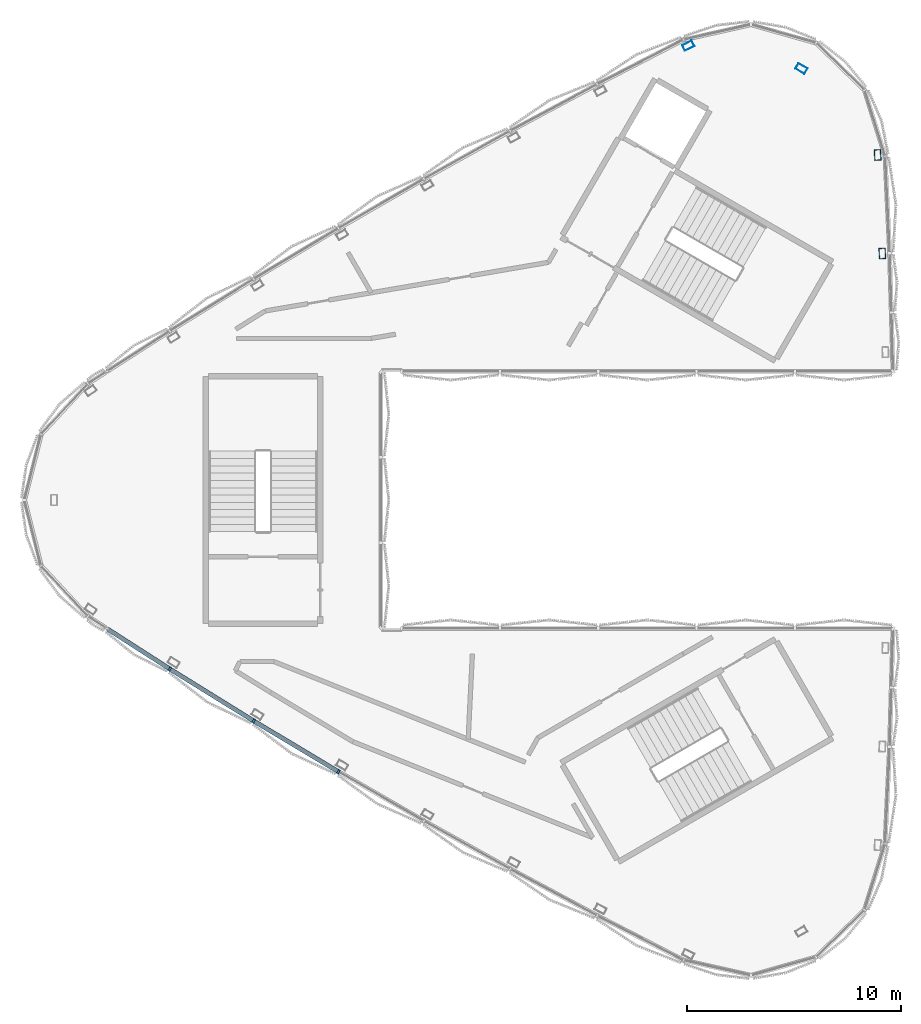
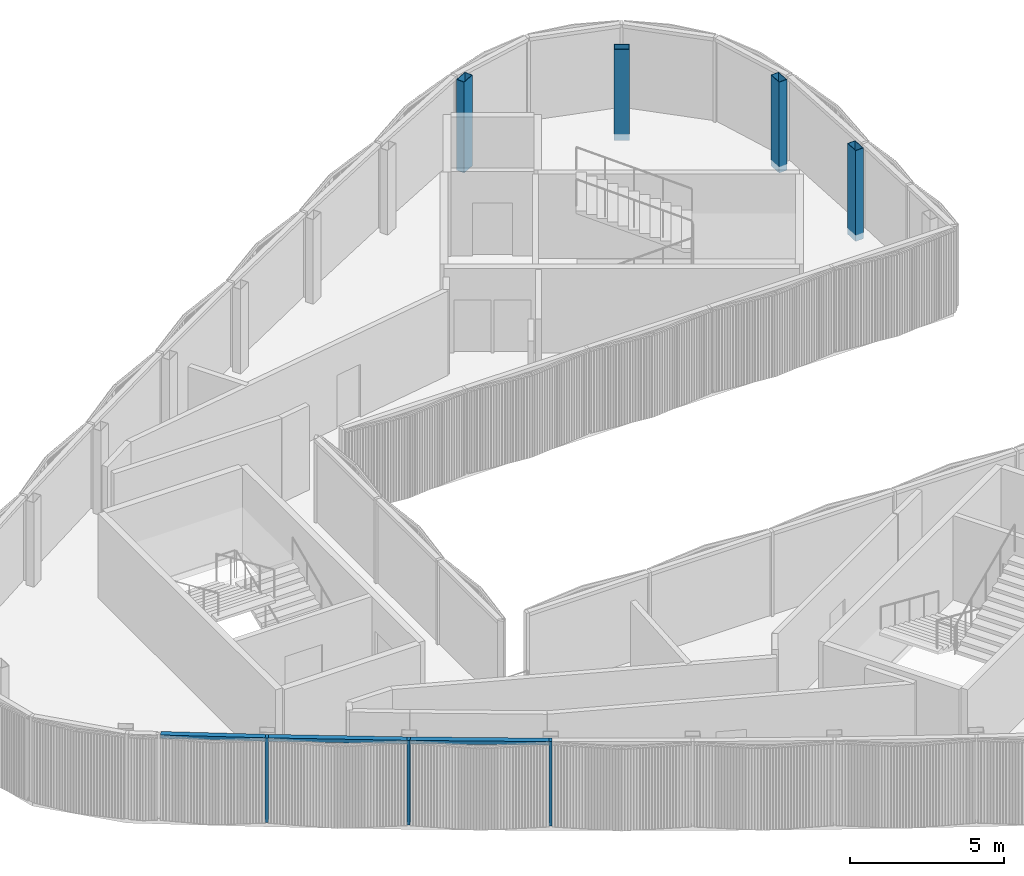
# One storey, part 2 of 16: 6 members, 4 columns, 1 element without a shape of its own.
"""IFC4 building model written with IfcOpenShell, lengths in metres."""

from ifc_helpers import new_model, si_unit, direction, frame, origin, origin_2d, place, context, subcontext, project, spatial, rectangle, hollow_rectangle, extrude, material, material_profile, profile_set, type_object, element, aggregate, save


model = new_model("IFC4")

# Units and contexts
model_context = context("Model", 3, precision=1e-05, world=origin(), true_north=direction((0.0, 1.0)))
body_context = subcontext(model_context, "Body", "Model", "MODEL_VIEW")
ifc_project = project(units=[si_unit("LENGTHUNIT", "METRE"), si_unit("AREAUNIT", "SQUARE_METRE"), si_unit("VOLUMEUNIT", "CUBIC_METRE"), si_unit("PLANEANGLEUNIT", "RADIAN"), si_unit("MASSUNIT", "GRAM", prefix="KILO")], contexts=[model_context])

# Site, building, storey
site_placement = place(None, origin())
site = spatial("IfcSite", under=ifc_project, at=site_placement, CompositionType="ELEMENT")
building_placement = place(site_placement, origin())
building = spatial("IfcBuilding", under=site, at=building_placement, Name="Tamra Quay Hotel Tower", CompositionType="ELEMENT")
storey_placement = place(building_placement, frame((0.0, 0.0, 324.199951171875)))
storey = spatial("IfcBuildingStorey", under=building, at=storey_placement, Name="Roof crown 2", CompositionType="ELEMENT", Elevation=324.199951171875)

# Columns
ifc_material_1 = material(Name="Structural steel IS 2062 E350", Category="steel")
ifc_material_profile_1 = material_profile(ifc_material_1, hollow_rectangle(XDim=0.300048828125, YDim=0.5, WallThickness=0.01611328125, at=origin_2d()), Name="RHS 500x300x16")
ifc_profile_set_1 = profile_set([ifc_material_profile_1], Name="Structural steel IS 2062 E350")
column_type = type_object("IfcColumnType", Name="CROWN FRAME POST RHS 500x300x16", PredefinedType="COLUMN", material=ifc_profile_set_1)
for number, where, z_axis, x_axis, name in (
    (1, (15.418212890625, 11.51513671875, -0.25), (0.0, 0.0, 1.0), (0.999251212442, 0.03869127076, 0.0), "CF-A-C6E07-Roofcrown2"),
    (2, (15.202392578125, 16.116943359375, -0.25), (0.0, 0.0, 1.0), (0.998490919119, 0.05491706873, 0.0), "CF-A-C6E08-Roofcrown2"),
    (3, (11.63671875, 20.1552734375, -0.25), (0.0, 0.0, 1.0), (0.5, 0.866025403784, 0.0), "CF-A-M6NE-Roofcrown2"),
    (4, (6.3564453125, 21.22412109375, -0.25), (0.0, 0.0, 1.0), (-0.451685882938, 0.89217703577, 0.0), "CF-A-C6NW01-Roofcrown2"),
):
    element("IfcColumn", number, at=place(storey_placement, frame(where, z_axis=z_axis, x_axis=x_axis)), inside=storey, type_object=column_type, Name=name, PredefinedType="COLUMN", context=body_context, shape_type="SweptSolid", body=[
        extrude(hollow_rectangle(XDim=0.300048828125, YDim=0.5, WallThickness=0.01611328125, at=origin_2d()), origin(), (0.0, 0.0, 1.0), 3.60009765625),
    ])

# Curtain wall, members
ifc_material_2 = material(Name="Aluminium 6063 anodised dark grey", Category="aluminium")
curtain_wall_type = type_object("IfcCurtainWallType", Name="CW6 CURTAIN WALL", PredefinedType="NOTDEFINED", material=ifc_material_2)
curtain_wall_placement = place(storey_placement, origin())
curtain_wall = element("IfcCurtainWall", 5, at=curtain_wall_placement, inside=storey, type_object=curtain_wall_type, Name="CW6 lantern B face Roof crown 2", PredefinedType="NOTDEFINED")
ifc_material_profile_2 = material_profile(ifc_material_2, rectangle(XDim=0.199951171875, YDim=0.10009765625, at=origin_2d()), Name="MULLION 100X200")
ifc_profile_set_2 = profile_set([ifc_material_profile_2], Name="Aluminium 6063 anodised dark grey")
member_type_1 = type_object("IfcMemberType", Name="MULLION CW6", PredefinedType="MULLION", material=ifc_profile_set_2)
member_1_placement = place(storey_placement, frame((-17.867919921875, -7.89111328125, 0.0), z_axis=(0.0, 0.0, 1.0), x_axis=(-0.533422330848, -0.845849050926, 0.0)))
member_1 = element("IfcMember", 6, at=member_1_placement, type_object=member_type_1, Name="CW6 mullion Roof crown 2.B.7", PredefinedType="MULLION", context=body_context, shape_type="SweptSolid", body=[
    extrude(rectangle(XDim=0.199951171875, YDim=0.10009765625, at=origin_2d()), origin(), (0.0, 0.0, 1.0), 3.35009765625),
])
member_2_placement = place(storey_placement, frame((-13.947509765625, -10.321044921875, 0.0), z_axis=(0.0, 0.0, 1.0), x_axis=(-0.520160185397, -0.854068721783, 0.0)))
member_2 = element("IfcMember", 7, at=member_2_placement, type_object=member_type_1, Name="CW6 mullion Roof crown 2.B.8", PredefinedType="MULLION", context=body_context, shape_type="SweptSolid", body=[
    extrude(rectangle(XDim=0.199951171875, YDim=0.10009765625, at=origin_2d()), origin(), (0.0, 0.0, 1.0), 3.35009765625),
])
member_3_placement = place(storey_placement, frame((-9.989501953125, -12.689453125, 0.0), z_axis=(0.0, 0.0, 1.0), x_axis=(-0.506753731218, -0.862090862901, 0.0)))
member_3 = element("IfcMember", 8, at=member_3_placement, type_object=member_type_1, Name="CW6 mullion Roof crown 2.B.9", PredefinedType="MULLION", context=body_context, shape_type="SweptSolid", body=[
    extrude(rectangle(XDim=0.199951171875, YDim=0.10009765625, at=origin_2d()), origin(), (0.0, 0.0, 1.0), 3.35009765625),
])
ifc_material_profile_3 = material_profile(ifc_material_2, rectangle(XDim=0.199951171875, YDim=0.139892578125, at=origin_2d()), Name="TRANSOM 200X140")
ifc_profile_set_3 = profile_set([ifc_material_profile_3], Name="Aluminium 6063 anodised dark grey")
member_type_2 = type_object("IfcMemberType", Name="TRANSOM CW6", PredefinedType="USERDEFINED", material=ifc_profile_set_3)
member_4_placement = place(storey_placement, frame((-20.7734375, -6.027099609375, 3.280029296875), z_axis=(0.841670083092, -0.53999210293, 0.0), x_axis=(0.53999210293, 0.841670083092, 0.0)))
member_4 = element("IfcMember", 9, at=member_4_placement, type_object=member_type_2, Name="CW6 transom Roof crown 2.B.6", ObjectType="TRANSOM", PredefinedType="USERDEFINED", context=body_context, shape_type="SweptSolid", body=[
    extrude(rectangle(XDim=0.199951171875, YDim=0.139892578125, at=origin_2d()), origin(), (0.0, 0.0, 1.0), 3.402099609375),
])
member_5_placement = place(storey_placement, frame((-17.825439453125, -7.91748046875, 3.280029296875), z_axis=(0.849980220175, -0.526814602409, 0.0), x_axis=(0.526814602409, 0.849980220175, 0.0)))
member_5 = element("IfcMember", 10, at=member_5_placement, type_object=member_type_2, Name="CW6 transom Roof crown 2.B.7", ObjectType="TRANSOM", PredefinedType="USERDEFINED", context=body_context, shape_type="SweptSolid", body=[
    extrude(rectangle(XDim=0.199951171875, YDim=0.139892578125, at=origin_2d()), origin(), (0.0, 0.0, 1.0), 4.512451171875),
])
member_6_placement = place(storey_placement, frame((-13.904541015625, -10.3466796875, 3.280029296875), z_axis=(0.858103349305, -0.513477012058, 0.0), x_axis=(0.513477012058, 0.858103349305, 0.0)))
member_6 = element("IfcMember", 11, at=member_6_placement, type_object=member_type_2, Name="CW6 transom Roof crown 2.B.8", ObjectType="TRANSOM", PredefinedType="USERDEFINED", context=body_context, shape_type="SweptSolid", body=[
    extrude(rectangle(XDim=0.199951171875, YDim=0.139892578125, at=origin_2d()), origin(), (0.0, 0.0, 1.0), 4.5126953125),
])
aggregate(curtain_wall, [member_4, member_1, member_5, member_2, member_6, member_3])

save(model, "model.ifc")
